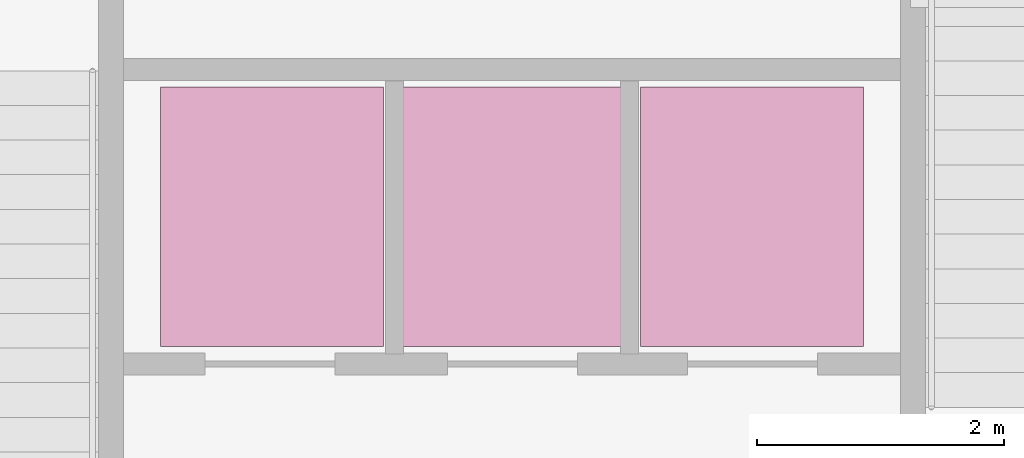
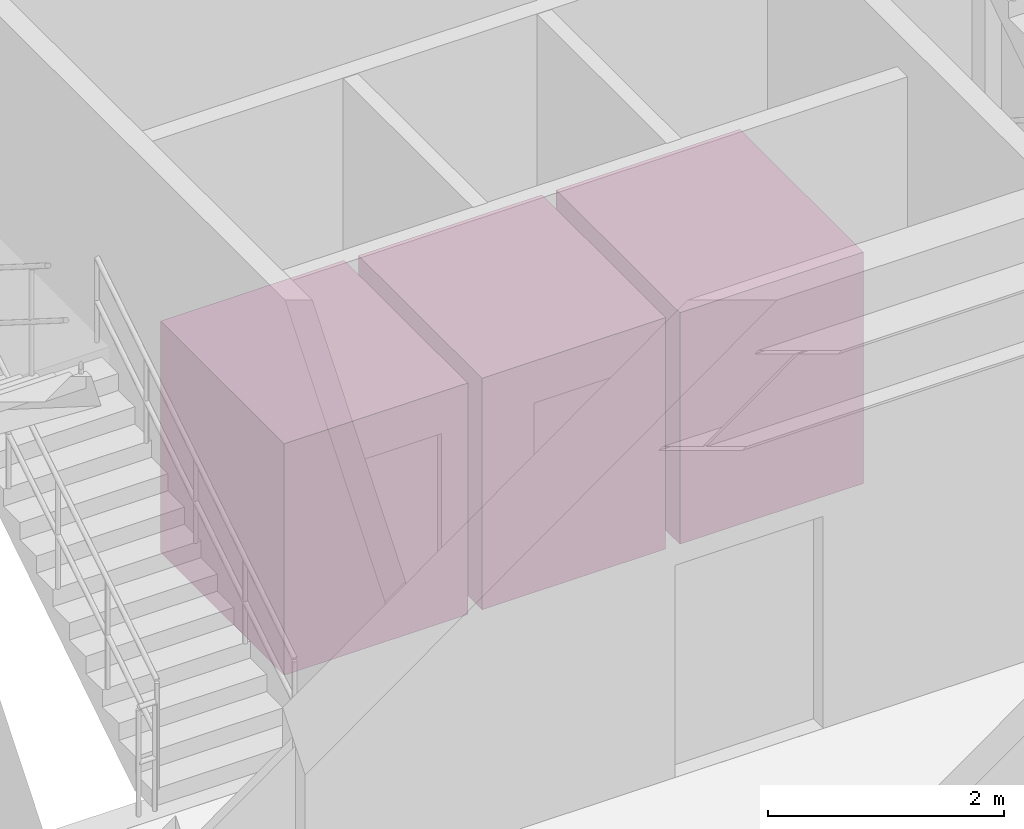
# One storey, part 28 of 28: 3 transport elements.
"""IFC4 building model written with IfcOpenShell, lengths in metres."""

from ifc_helpers import new_model, si_unit, direction, frame, origin, origin_2d, place, context, subcontext, project, spatial, rectangle, extrude, source, transform, mapped, material, type_object, type_shapes, element, save


model = new_model("IFC4")

# Units and contexts
model_context = context("Model", 3, precision=1e-05, world=origin(), true_north=direction((0.0, 1.0)))
body_context = subcontext(model_context, "Body", "Model", "MODEL_VIEW")
ifc_project = project(units=[si_unit("LENGTHUNIT", "METRE"), si_unit("AREAUNIT", "SQUARE_METRE"), si_unit("VOLUMEUNIT", "CUBIC_METRE"), si_unit("PLANEANGLEUNIT", "RADIAN"), si_unit("MASSUNIT", "GRAM", prefix="KILO")], contexts=[model_context])

# Site, building, storey
site_placement = place(None, origin())
site = spatial("IfcSite", under=ifc_project, at=site_placement, CompositionType="ELEMENT")
building_placement = place(site_placement, origin())
building = spatial("IfcBuilding", under=site, at=building_placement, Name="Talar Marvaseh", CompositionType="ELEMENT")
storey_placement = place(building_placement, frame((0.0, 0.0, 157.800048828125)))
storey = spatial("IfcBuildingStorey", under=building, at=storey_placement, Name="L41", CompositionType="ELEMENT", Elevation=157.800048828125)

# Transport elements
ifc_material = material(Name="Stainless Steel Grade 316", Category="steel")
transport_element_type = type_object("IfcTransportElementType", Name="Zoned High-Speed Passenger Elevator 1600kg", PredefinedType="ELEVATOR", material=ifc_material)
shared_shape = source(origin(), body_context, "Body", "SweptSolid", [
    extrude(rectangle(XDim=1.800048828125, YDim=2.10009765625, at=origin_2d()), origin(), (0.0, 0.0, 1.0), 2.39990234375),
])
type_shapes(transport_element_type, [shared_shape])
for number, where, z_axis, x_axis, name in (
    (1, (24.06005859375, 29.830078125, 0.0), (0.0, 0.0, 1.0), (1.0, 0.0, 0.0), "PL-H1 Elevator Car"),
    (2, (26.0, 29.830078125, 0.0), (0.0, 0.0, 1.0), (1.0, 0.0, 0.0), "PL-H2 Elevator Car"),
    (3, (27.93994140625, 29.830078125, 0.0), (0.0, 0.0, 1.0), (1.0, 0.0, 0.0), "PL-H3 Elevator Car"),
):
    element("IfcTransportElement", number, at=place(storey_placement, frame(where, z_axis=z_axis, x_axis=x_axis)), inside=storey, type_object=transport_element_type, Name=name, PredefinedType="ELEVATOR", context=body_context, shape_type="MappedRepresentation", body=[
        mapped(shared_shape, transform((0.0, 0.0, 0.0), x_axis=(1.0, 0.0, 0.0), y_axis=(0.0, 1.0, 0.0), z_axis=(0.0, 0.0, 1.0), scale=1.0)),
    ])

save(model, "model.ifc")
